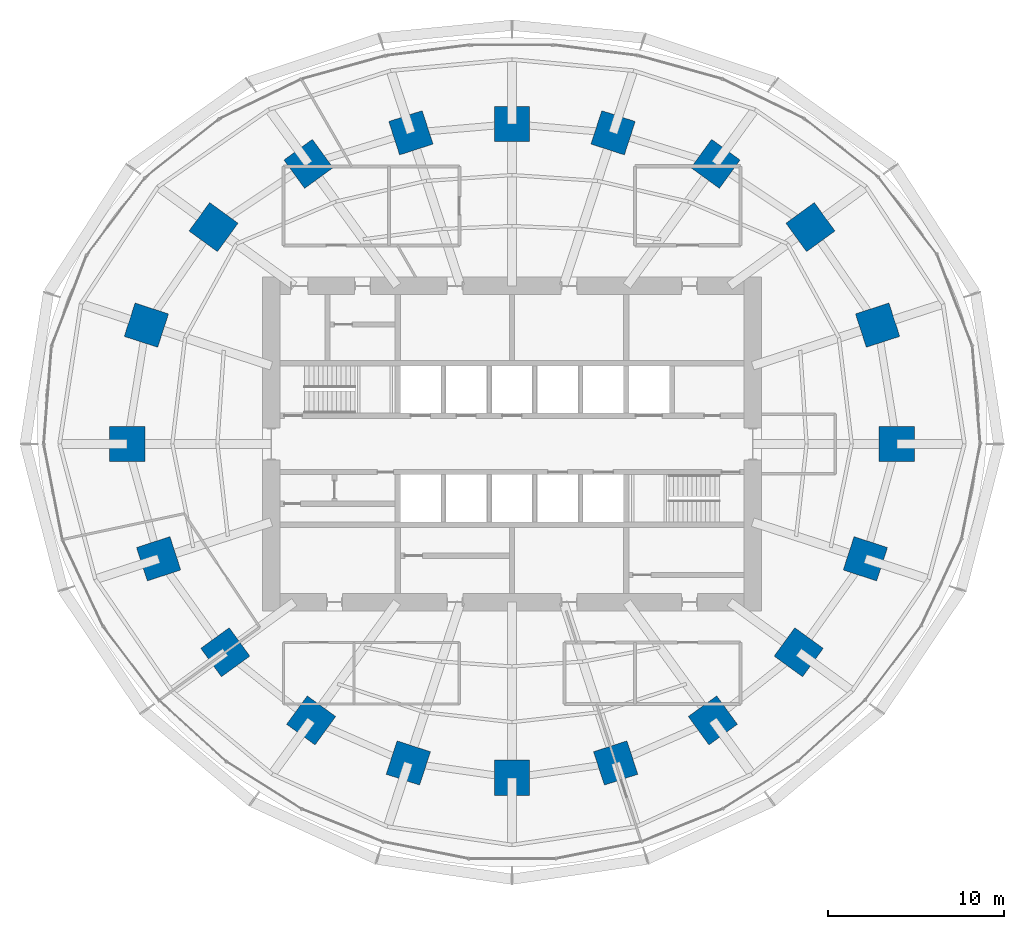
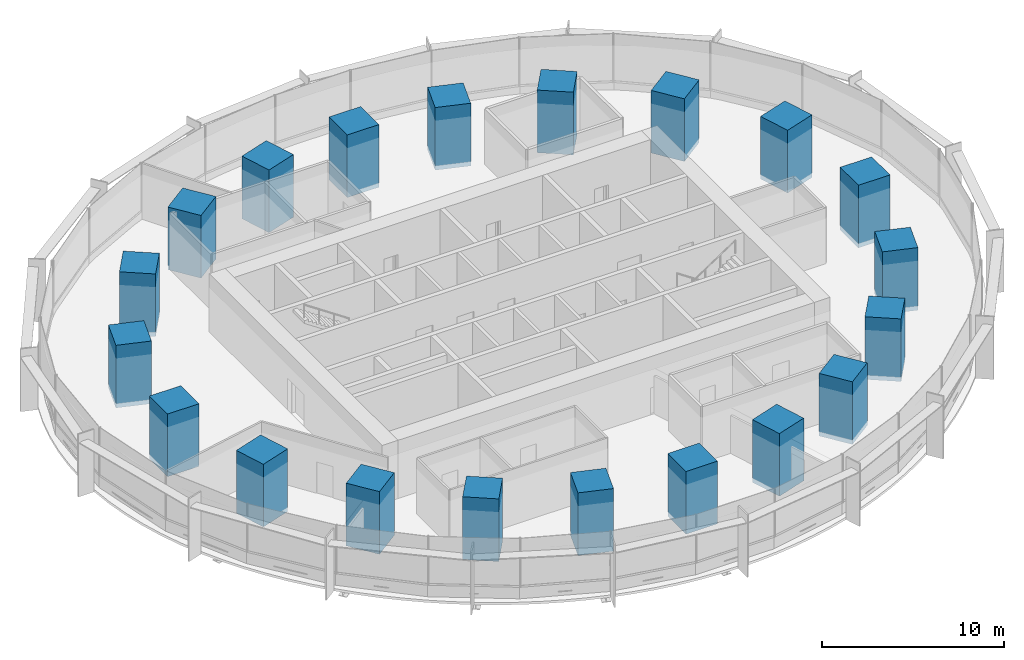
# One storey, part 1 of 15: 20 columns.
"""IFC4 building model written with IfcOpenShell, lengths in metres."""

from ifc_helpers import new_model, si_unit, direction, frame, origin, origin_2d, place, context, subcontext, project, spatial, rectangle, extrude, material, material_profile, profile_set, type_object, element, save


model = new_model("IFC4")

# Units and contexts
model_context = context("Model", 3, precision=1e-05, world=origin(), true_north=direction((0.0, 1.0)))
body_context = subcontext(model_context, "Body", "Model", "MODEL_VIEW")
ifc_project = project(units=[si_unit("LENGTHUNIT", "METRE"), si_unit("AREAUNIT", "SQUARE_METRE"), si_unit("VOLUMEUNIT", "CUBIC_METRE"), si_unit("PLANEANGLEUNIT", "RADIAN"), si_unit("MASSUNIT", "GRAM", prefix="KILO")], contexts=[model_context])

# Site, building, storey
site_placement = place(None, origin())
site = spatial("IfcSite", under=ifc_project, at=site_placement, CompositionType="ELEMENT")
building_placement = place(site_placement, origin())
building = spatial("IfcBuilding", under=site, at=building_placement, Name="Marramba Exchange Tower", CompositionType="ELEMENT")
storey_placement = place(building_placement, frame((0.0, 0.0, 23.800048828125)))
storey = spatial("IfcBuildingStorey", under=building, at=storey_placement, Name="L05", CompositionType="ELEMENT", Elevation=23.800048828125)

# Columns
ifc_material = material(Name="Concrete N50", Category="concrete")
ifc_material_profile = material_profile(ifc_material, rectangle(XDim=2.0, YDim=2.0, at=origin_2d()), Name="RC 2000x2000")
ifc_profile_set = profile_set([ifc_material_profile], Name="Concrete N50")
column_type = type_object("IfcColumnType", Name="Perimeter column RC 2000x2000 N50", PredefinedType="COLUMN", material=ifc_profile_set)
for number, where, z_axis, x_axis, name in (
    (1, (21.89990234375, 0.0, 0.0), (0.0, 0.0, 1.0), (1.0, 0.0, 0.0), "Column TC01 L05"),
    (2, (20.808349609375, 6.760986328125, 0.0), (0.0, 0.0, 1.0), (0.951056516295, 0.309016994375, 0.0), "Column TC02 L05"),
    (3, (16.98583984375, 12.3408203125, 0.0), (0.0, 0.0, 1.0), (0.809016994375, 0.587785252292, 0.0), "Column TC03 L05"),
    (4, (11.581298828125, 15.9404296875, 0.0), (0.0, 0.0, 1.0), (0.587785252292, 0.809016994375, 0.0), "Column TC04 L05"),
    (5, (5.75390625, 17.70849609375, 0.0), (0.0, 0.0, 1.0), (0.309016994375, 0.951056516295, 0.0), "Column TC05 L05"),
    (6, (0.0, 18.2041015625, 0.0), (0.0, 0.0, 1.0), (0.0, 1.0, 0.0), "Column TC06 L05"),
    (7, (-5.75390625, 17.70849609375, 0.0), (0.0, 0.0, 1.0), (-0.309016994375, 0.951056516295, 0.0), "Column TC07 L05"),
    (8, (-11.581298828125, 15.9404296875, 0.0), (0.0, 0.0, 1.0), (-0.587785252292, 0.809016994375, 0.0), "Column TC08 L05"),
    (9, (-16.98583984375, 12.3408203125, 0.0), (0.0, 0.0, 1.0), (-0.809016994375, 0.587785252292, 0.0), "Column TC09 L05"),
    (10, (-20.808349609375, 6.760986328125, 0.0), (0.0, 0.0, 1.0), (-0.951056516295, 0.309016994375, 0.0), "Column TC10 L05"),
    (11, (-21.89990234375, 0.0, 0.0), (0.0, 0.0, 1.0), (-1.0, 0.0, 0.0), "Column TC11 L05"),
    (12, (-20.109375, -6.533935546875, 0.0), (0.0, 0.0, 1.0), (-0.951056516295, -0.309016994375, 0.0), "Column TC12 L05"),
    (13, (-16.3154296875, -11.853759765625, 0.0), (0.0, 0.0, 1.0), (-0.809016994375, -0.587785252292, 0.0), "Column TC13 L05"),
    (14, (-11.430419921875, -15.732666015625, 0.0), (0.0, 0.0, 1.0), (-0.587785252292, -0.809016994375, 0.0), "Column TC14 L05"),
    (15, (-5.899658203125, -18.156982421875, 0.0), (0.0, 0.0, 1.0), (-0.309016994375, -0.951056516295, 0.0), "Column TC15 L05"),
    (16, (0.0, -18.99609375, 0.0), (0.0, 0.0, 1.0), (0.0, -1.0, 0.0), "Column TC16 L05"),
    (17, (5.899658203125, -18.156982421875, 0.0), (0.0, 0.0, 1.0), (0.309016994375, -0.951056516295, 0.0), "Column TC17 L05"),
    (18, (11.430419921875, -15.732666015625, 0.0), (0.0, 0.0, 1.0), (0.587785252292, -0.809016994375, 0.0), "Column TC18 L05"),
    (19, (16.3154296875, -11.853759765625, 0.0), (0.0, 0.0, 1.0), (0.809016994375, -0.587785252292, 0.0), "Column TC19 L05"),
    (20, (20.109375, -6.533935546875, 0.0), (0.0, 0.0, 1.0), (0.951056516295, -0.309016994375, 0.0), "Column TC20 L05"),
):
    element("IfcColumn", number, at=place(storey_placement, frame(where, z_axis=z_axis, x_axis=x_axis)), inside=storey, type_object=column_type, Name=name, PredefinedType="COLUMN", context=body_context, shape_type="SweptSolid", body=[
        extrude(rectangle(XDim=2.0, YDim=2.0, at=origin_2d()), origin(), (0.0, 0.0, 1.0), 4.199951171875),
    ])

save(model, "model.ifc")
